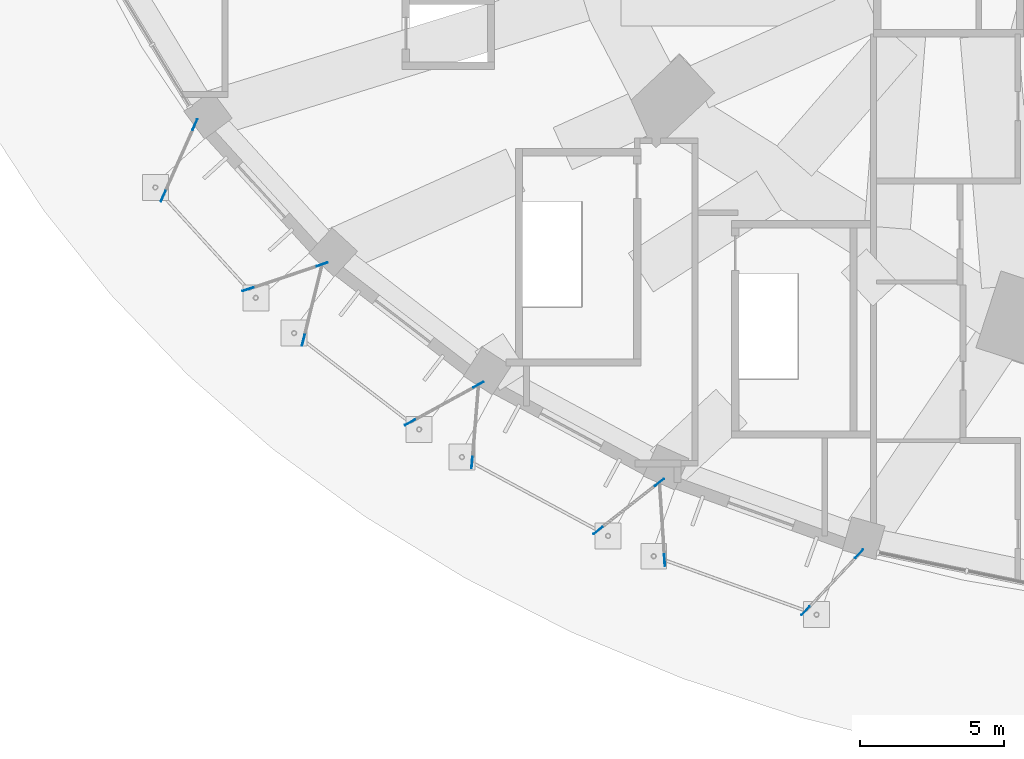
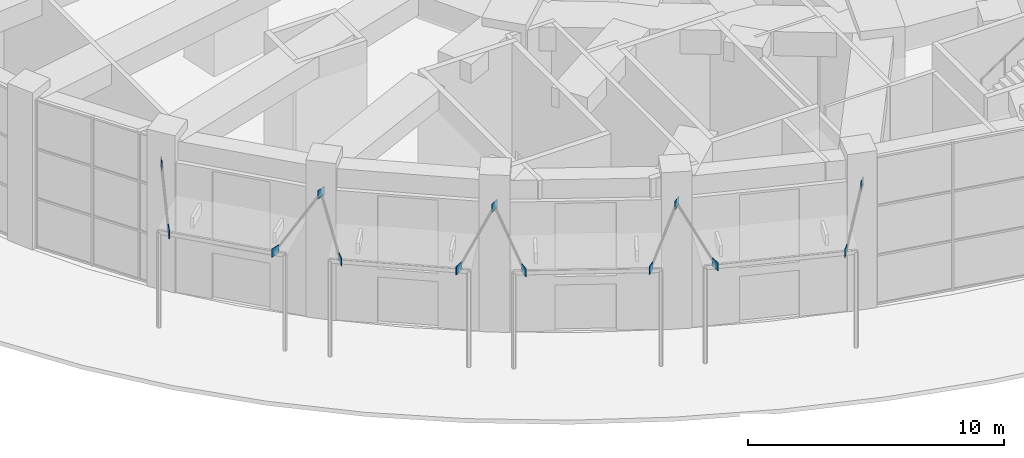
# One storey, part 44 of 60: 13 discrete accessories.
"""IFC4 building model written with IfcOpenShell, lengths in metres."""

from ifc_helpers import new_model, si_unit, direction, frame, origin, origin_2d, place, context, subcontext, project, spatial, rectangle, extrude, material, type_object, element, save


model = new_model("IFC4")

# Units and contexts
model_context = context("Model", 3, precision=1e-05, world=origin(), true_north=direction((0.0, 1.0)))
body_context = subcontext(model_context, "Body", "Model", "MODEL_VIEW")
ifc_project = project(units=[si_unit("LENGTHUNIT", "METRE"), si_unit("AREAUNIT", "SQUARE_METRE"), si_unit("VOLUMEUNIT", "CUBIC_METRE"), si_unit("PLANEANGLEUNIT", "RADIAN"), si_unit("MASSUNIT", "GRAM", prefix="KILO")], contexts=[model_context])

# Site, building, storey
site_placement = place(None, origin())
site = spatial("IfcSite", under=ifc_project, at=site_placement, CompositionType="ELEMENT")
building_placement = place(site_placement, origin())
building = spatial("IfcBuilding", under=site, at=building_placement, Name="Taillehof Tower", CompositionType="ELEMENT")
storey_placement = place(building_placement, origin())
storey = spatial("IfcBuildingStorey", under=building, at=storey_placement, Name="L00", CompositionType="ELEMENT", Elevation=0.0)

# Discrete accessories
ifc_material = material(Name="Steel S460M", Category="steel")
discrete_accessory_type = type_object("IfcDiscreteAccessoryType", Name="Steel gusset plate", PredefinedType="BRACKET", material=ifc_material)
for number, where, z_axis, x_axis, name in (
    (1, (-39.139892578125, -19.52001953125, 4.43994140625), (0.0, 0.0, 1.0), (0.406758965081, 0.913535518919, 0.0), "Gusset plate 001"),
    (2, (-38.0400390625, -17.0400390625, 5.800048828125), (0.0, 0.0, 1.0), (0.406758965081, 0.913535518919, 0.0), "Gusset plate 002"),
    (3, (-36.199951171875, -22.75, 4.43994140625), (0.0, 0.0, 1.0), (0.947625803024, 0.319382744437, 0.0), "Gusset plate 003"),
    (4, (-34.280029296875, -24.52001953125, 4.43994140625), (0.0, 0.0, 1.0), (0.240485555441, 0.970652717311, 0.0), "Gusset plate 004"),
    (5, (-33.6298828125, -21.889892578125, 5.800048828125), (0.0, 0.0, 1.0), (0.947625803024, 0.319382744437, 0.0), "Gusset plate 006"),
    (6, (-30.580078125, -27.3701171875, 4.43994140625), (0.0, 0.0, 1.0), (0.876478151527, 0.481441637061, 0.0), "Gusset plate 008"),
    (7, (-28.429931640625, -28.760009765625, 4.43994140625), (0.0, 0.0, 1.0), (0.081679326265, 0.996658661559, 0.0), "Gusset plate 010"),
    (8, (-28.2099609375, -26.06005859375, 5.800048828125), (0.0, 0.0, 1.0), (0.876478151527, 0.481441637061, 0.0), "Gusset plate 012"),
    (9, (-24.06005859375, -31.1201171875, 4.43994140625), (0.0, 0.0, 1.0), (0.78727306003, 0.616604515838, 0.0), "Gusset plate 014"),
    (10, (-21.929931640625, -29.449951171875, 5.800048828125), (0.0, 0.0, 1.0), (0.78727306003, 0.616604515838, 0.0), "Gusset plate 016"),
    (11, (-21.75, -32.14990234375, 4.43994140625), (0.0, 0.0, 1.0), (-0.067477222945, 0.997720814849, 0.0), "Gusset plate 018"),
    (12, (-16.860107421875, -33.89990234375, 4.43994140625), (0.0, 0.0, 1.0), (0.68625137069, 0.727364459006, 0.0), "Gusset plate 020"),
    (13, (-15.0, -31.929931640625, 5.800048828125), (0.0, 0.0, 1.0), (0.68625137069, 0.727364459006, 0.0), "Gusset plate 022"),
):
    element("IfcDiscreteAccessory", number, at=place(storey_placement, frame(where, z_axis=z_axis, x_axis=x_axis)), inside=storey, type_object=discrete_accessory_type, Name=name, PredefinedType="BRACKET", context=body_context, shape_type="SweptSolid", body=[
        extrude(rectangle(XDim=0.39990234375, YDim=0.02490234375, at=origin_2d()), origin(), (0.0, 0.0, 1.0), 0.39990234375),
    ])

save(model, "model.ifc")
